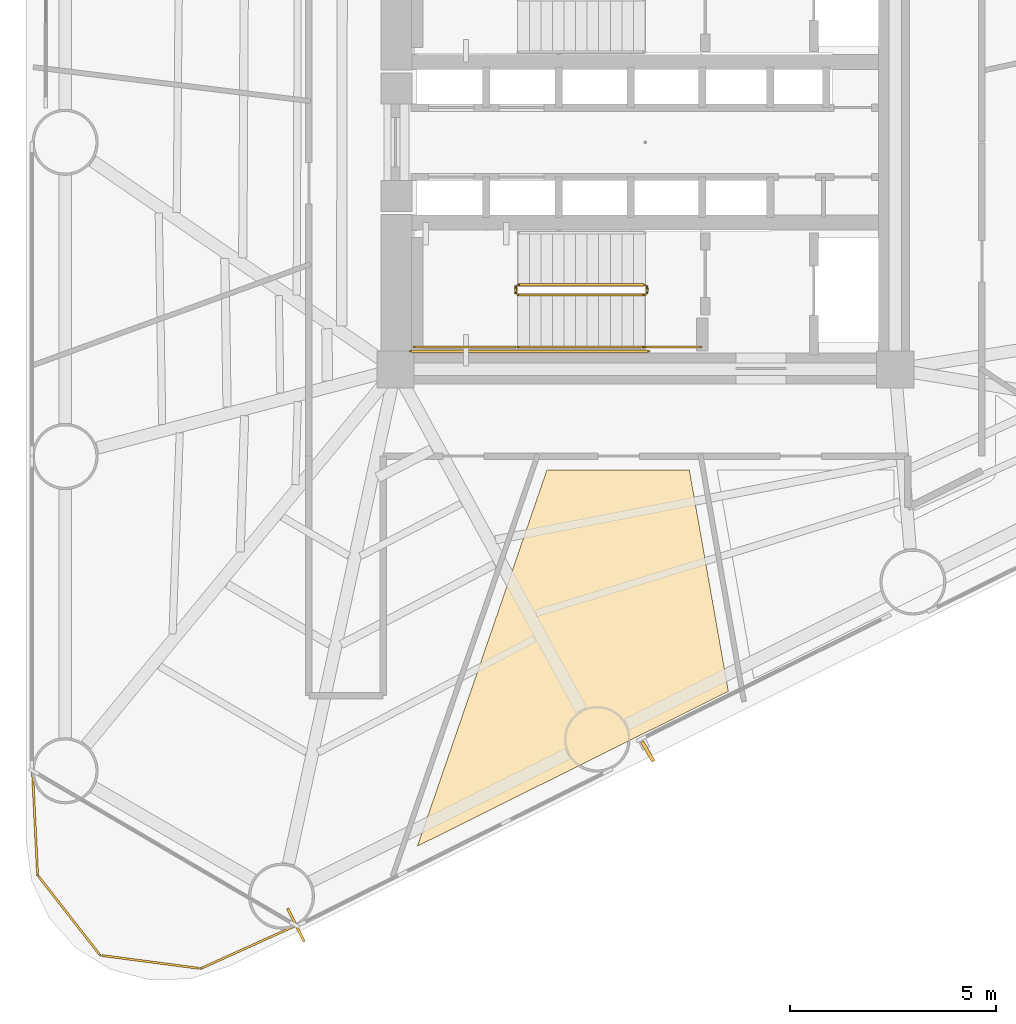
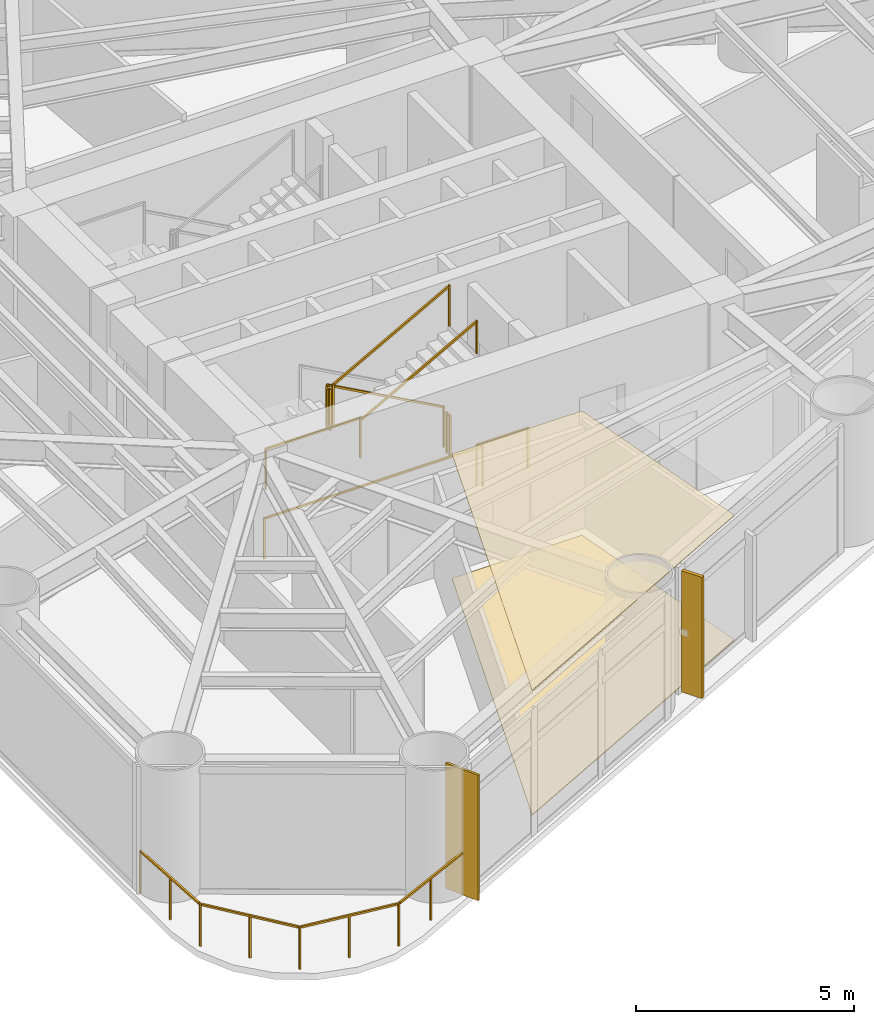
# One storey, part 8 of 11: 9 railings, 3 coverings, 1 shading device.
"""IFC4 building model written with IfcOpenShell, lengths in metres."""

from ifc_helpers import new_model, si_unit, direction, frame, origin, origin_2d, place, context, subcontext, project, spatial, polyline, rectangle, outline, extrude, source, transform, mapped, material, layer, layer_set, material_profile, profile_set, type_object, element, save


model = new_model("IFC4")

# Units and contexts
model_context = context("Model", 3, precision=1e-05, world=origin(), true_north=direction((0.0, 1.0)))
body_context = subcontext(model_context, "Body", "Model", "MODEL_VIEW")
ifc_project = project(units=[si_unit("LENGTHUNIT", "METRE"), si_unit("AREAUNIT", "SQUARE_METRE"), si_unit("VOLUMEUNIT", "CUBIC_METRE"), si_unit("PLANEANGLEUNIT", "RADIAN"), si_unit("MASSUNIT", "GRAM", prefix="KILO")], contexts=[model_context])

# Site, building, storey
site_placement = place(None, origin())
site = spatial("IfcSite", under=ifc_project, at=site_placement, CompositionType="ELEMENT")
building_placement = place(site_placement, origin())
building = spatial("IfcBuilding", under=site, at=building_placement, Name="Yunling Apex Tower", CompositionType="ELEMENT")
storey_placement = place(building_placement, frame((0.0, 0.0, 42.300048828125)))
storey = spatial("IfcBuildingStorey", under=building, at=storey_placement, Name="L12", CompositionType="ELEMENT", Elevation=42.300048828125)

# Coverings
ifc_material_1 = material(Name="Acoustic mineral fibre ceiling")
ifc_layer_1 = layer(ifc_material_1, 0.02490234375)
ifc_layer_set_1 = layer_set([ifc_layer_1], Name="Acoustic mineral fibre ceiling")
covering_type_1 = type_object("IfcCoveringType", Name="CV-CLG-1", PredefinedType="CEILING", material=ifc_layer_set_1)
covering_1_placement = place(storey_placement, frame((0.0, 0.0, 3.489990234375)))
element("IfcCovering", 1, at=covering_1_placement, inside=storey, type_object=covering_type_1, Name="CV-CL-SP-L12-R03", PredefinedType="CEILING", context=body_context, shape_type="SweptSolid", body=[
    extrude(outline(polyline([(2.009521484375, -13.29638671875), (-5.519775390625, -17.0439453125), (-2.381591796875, -7.929931640625), (1.063232421875, -7.929931640625), (2.009521484375, -13.29638671875)])), origin(), (0.0, 0.0, 1.0), 0.02490234375),
])
ifc_material_2 = material(Name="Polished granite stone", Category="masonry")
ifc_layer_2 = layer(ifc_material_2, 0.030029296875)
ifc_layer_set_2 = layer_set([ifc_layer_2], Name="Polished granite stone")
covering_type_2 = type_object("IfcCoveringType", Name="CV-FLR-1", PredefinedType="FLOORING", material=ifc_layer_set_2)
covering_2_placement = place(storey_placement, origin())
element("IfcCovering", 2, at=covering_2_placement, inside=storey, type_object=covering_type_2, Name="CV-FL-SP-L12-R03", PredefinedType="FLOORING", context=body_context, shape_type="SweptSolid", body=[
    extrude(outline(polyline([(2.009521484375, -13.29638671875), (-5.519775390625, -17.0439453125), (-2.381591796875, -7.929931640625), (1.063232421875, -7.929931640625), (2.009521484375, -13.29638671875)])), origin(), (0.0, 0.0, 1.0), 0.030029296875),
])

# Railings
ifc_material_3 = material(Name="Bronze anodised aluminium", Category="aluminium")
railing_type_1 = type_object("IfcRailingType", Name="RL-BAL-1200", PredefinedType="BALUSTRADE", material=ifc_material_3)
railing_1_placement = place(storey_placement, frame((-8.45947265625, -18.965087890625, 0.0)))
element("IfcRailing", 3, at=railing_1_placement, inside=storey, type_object=railing_type_1, Name="RL-CRNSILL-L12-3", PredefinedType="BALUSTRADE", context=body_context, shape_type="SweptSolid", body=[
    extrude(rectangle(XDim=0.0439453125, YDim=0.0439453125, at=origin_2d()), origin(), (0.0, 0.0, 1.0), 1.199951171875),
    extrude(rectangle(XDim=0.0439453125, YDim=0.0439453125, at=origin_2d()), frame((-2.30712890625, -1.04296875, 0.0)), (0.0, 0.0, 1.0), 1.199951171875),
    extrude(rectangle(XDim=0.050048828125, YDim=0.050048828125, at=origin_2d()), frame((-0.034912109375, -0.015869140625, 1.1748046875), z_axis=(-0.911216522497, -0.411927723186, 0.0), x_axis=(0.411927723186, -0.911216522497, 0.0)), (0.0, 0.0, 1.0), 2.455322265625),
    extrude(rectangle(XDim=0.0439453125, YDim=0.0439453125, at=origin_2d()), frame((-1.153564453125, -0.521484375, 0.0)), (0.0, 0.0, 1.0), 1.14599609375),
    extrude(rectangle(XDim=0.0439453125, YDim=0.0439453125, at=origin_2d()), frame((-4.741943359375, -0.723388671875, 0.0)), (0.0, 0.0, 1.0), 1.199951171875),
    extrude(rectangle(XDim=0.050048828125, YDim=0.050048828125, at=origin_2d()), frame((-2.34521484375, -1.0380859375, 1.1748046875), z_axis=(-0.991495866646, 0.130138182035, 0.0), x_axis=(-0.130138182035, -0.991495866646, 0.0)), (0.0, 0.0, 1.0), 2.379150390625),
    extrude(rectangle(XDim=0.0439453125, YDim=0.0439453125, at=origin_2d()), frame((-3.5244140625, -0.88330078125, 0.0)), (0.0, 0.0, 1.0), 1.14599609375),
    extrude(rectangle(XDim=0.0439453125, YDim=0.0439453125, at=origin_2d()), frame((-6.258544921875, 1.21826171875, 0.0)), (0.0, 0.0, 1.0), 1.199951171875),
    extrude(rectangle(XDim=0.050048828125, YDim=0.050048828125, at=origin_2d()), frame((-4.765625, -0.693115234375, 1.1748046875), z_axis=(-0.615565197226, 0.788085964832, 0.0), x_axis=(-0.788085964832, -0.615565197226, 0.0)), (0.0, 0.0, 1.0), 2.38720703125),
    extrude(rectangle(XDim=0.0439453125, YDim=0.0439453125, at=origin_2d()), frame((-5.500244140625, 0.24755859375, 0.0)), (0.0, 0.0, 1.0), 1.14599609375),
    extrude(rectangle(XDim=0.0439453125, YDim=0.0439453125, at=origin_2d()), frame((-6.382568359375, 3.74609375, 0.0)), (0.0, 0.0, 1.0), 1.199951171875),
    extrude(rectangle(XDim=0.050048828125, YDim=0.050048828125, at=origin_2d()), frame((-6.260498046875, 1.256591796875, 1.1748046875), z_axis=(-0.049004218115, 0.998798571588, 0.0), x_axis=(-0.998798571588, -0.049004218115, 0.0)), (0.0, 0.0, 1.0), 2.4541015625),
    extrude(rectangle(XDim=0.0439453125, YDim=0.0439453125, at=origin_2d()), frame((-6.320556640625, 2.482177734375, 0.0)), (0.0, 0.0, 1.0), 1.14599609375),
])
ifc_material_4 = material(Name="Steel Q355B", Category="steel")
railing_type_2 = type_object("IfcRailingType", Name="RL-GRD-1150", PredefinedType="GUARDRAIL", material=ifc_material_4)
railing_2_placement = place(storey_placement, frame((-0.010009765625, -3.449951171875, 0.154052734375)))
element("IfcRailing", 4, at=railing_2_placement, inside=storey, type_object=railing_type_2, Name="L12 ST-2 stair guard 1", PredefinedType="GUARDRAIL", context=body_context, shape_type="SweptSolid", body=[
    extrude(rectangle(XDim=0.0439453125, YDim=0.0439453125, at=origin_2d()), origin(), (0.0, 0.0, 1.0), 1.14990234375),
    extrude(rectangle(XDim=0.0439453125, YDim=0.0439453125, at=origin_2d()), frame((-3.080078125, 0.0, 1.69580078125)), (0.0, 0.0, 1.0), 1.14990234375),
    extrude(rectangle(XDim=0.050048828125, YDim=0.050048828125, at=origin_2d()), frame((-0.03369140625, 0.0, 1.143310546875), z_axis=(-0.876004717809, 0.0, 0.482302534076), x_axis=(0.0, -1.0, 0.0)), (0.0, 0.0, 1.0), 3.439453125),
])
railing_3_placement = place(storey_placement, frame((-3.139892578125, -3.5, 1.849853515625)))
element("IfcRailing", 5, at=railing_3_placement, inside=storey, type_object=railing_type_2, Name="L12 ST-2 stair guard 2", PredefinedType="GUARDRAIL", context=body_context, shape_type="SweptSolid", body=[
    extrude(rectangle(XDim=0.0439453125, YDim=0.0439453125, at=origin_2d()), origin(), (0.0, 0.0, 1.0), 1.14990234375),
    extrude(rectangle(XDim=0.0439453125, YDim=0.0439453125, at=origin_2d()), frame((0.0, -0.14990234375, 0.0)), (0.0, 0.0, 1.0), 1.14990234375),
    extrude(rectangle(XDim=0.050048828125, YDim=0.050048828125, at=origin_2d()), frame((0.0, -0.038330078125, 1.125), z_axis=(0.0, -1.0, 0.0), x_axis=(1.0, 0.0, 0.0)), (0.0, 0.0, 1.0), 0.0732421875),
])
railing_4_placement = place(storey_placement, frame((-3.090087890625, -4.9599609375, 1.849853515625)))
element("IfcRailing", 6, at=railing_4_placement, inside=storey, type_object=railing_type_2, Name="L12 ST-2 stair guard 3", PredefinedType="GUARDRAIL", context=body_context, shape_type="SweptSolid", body=[
    extrude(rectangle(XDim=0.0439453125, YDim=0.0439453125, at=origin_2d()), origin(), (0.0, 0.0, 1.0), 1.14990234375),
    extrude(rectangle(XDim=0.0439453125, YDim=0.0439453125, at=origin_2d()), frame((-2.510009765625, 0.0, 0.0)), (0.0, 0.0, 1.0), 1.14990234375),
    extrude(rectangle(XDim=0.050048828125, YDim=0.050048828125, at=origin_2d()), frame((-0.038330078125, 0.0, 1.125), z_axis=(-1.0, 0.0, 0.0), x_axis=(0.0, -1.0, 0.0)), (0.0, 0.0, 1.0), 2.433349609375),
])
railing_5_placement = place(storey_placement, frame((-3.090087890625, -3.699951171875, 2.004150390625)))
element("IfcRailing", 7, at=railing_5_placement, inside=storey, type_object=railing_type_2, Name="L12 ST-2 stair guard 4", PredefinedType="GUARDRAIL", context=body_context, shape_type="SweptSolid", body=[
    extrude(rectangle(XDim=0.0439453125, YDim=0.0439453125, at=origin_2d()), origin(), (0.0, 0.0, 1.0), 1.14990234375),
    extrude(rectangle(XDim=0.0439453125, YDim=0.0439453125, at=origin_2d()), frame((3.080078125, 0.0, 1.69580078125)), (0.0, 0.0, 1.0), 1.14990234375),
    extrude(rectangle(XDim=0.050048828125, YDim=0.050048828125, at=origin_2d()), frame((0.03369140625, 0.0, 1.143310546875), z_axis=(0.876004717809, 0.0, 0.482302534076), x_axis=(0.0, 1.0, 0.0)), (0.0, 0.0, 1.0), 3.439453125),
])
railing_6_placement = place(storey_placement, frame((0.0400390625, -3.5, 0.0)))
element("IfcRailing", 8, at=railing_6_placement, inside=storey, type_object=railing_type_2, Name="L12 ST-2 stair guard 5", PredefinedType="GUARDRAIL", context=body_context, shape_type="SweptSolid", body=[
    extrude(rectangle(XDim=0.0439453125, YDim=0.0439453125, at=origin_2d()), origin(), (0.0, 0.0, 1.0), 1.14990234375),
    extrude(rectangle(XDim=0.0439453125, YDim=0.0439453125, at=origin_2d()), frame((0.0, -0.14990234375, 0.0)), (0.0, 0.0, 1.0), 1.14990234375),
    extrude(rectangle(XDim=0.050048828125, YDim=0.050048828125, at=origin_2d()), frame((0.0, -0.038330078125, 1.125), z_axis=(0.0, -1.0, 0.0), x_axis=(1.0, 0.0, 0.0)), (0.0, 0.0, 1.0), 0.0732421875),
])
railing_7_placement = place(storey_placement, frame((1.35009765625, -4.9599609375, 0.0)))
element("IfcRailing", 9, at=railing_7_placement, inside=storey, type_object=railing_type_2, Name="L12 ST-2 stair guard 6", PredefinedType="GUARDRAIL", context=body_context, shape_type="SweptSolid", body=[
    extrude(rectangle(XDim=0.0439453125, YDim=0.0439453125, at=origin_2d()), origin(), (0.0, 0.0, 1.0), 1.14990234375),
    extrude(rectangle(XDim=0.0439453125, YDim=0.0439453125, at=origin_2d()), frame((-1.360107421875, 0.0, 0.0)), (0.0, 0.0, 1.0), 1.14990234375),
    extrude(rectangle(XDim=0.050048828125, YDim=0.050048828125, at=origin_2d()), frame((-0.038330078125, 0.0, 1.125), z_axis=(-1.0, 0.0, 0.0), x_axis=(0.0, -1.0, 0.0)), (0.0, 0.0, 1.0), 1.283447265625),
])
railing_8_placement = place(storey_placement, frame((0.090087890625, -5.06005859375, 0.0)))
element("IfcRailing", 10, at=railing_8_placement, inside=storey, type_object=railing_type_2, Name="L12 ST-2 stair guard 7", PredefinedType="GUARDRAIL", context=body_context, shape_type="SweptSolid", body=[
    extrude(rectangle(XDim=0.0439453125, YDim=0.0439453125, at=origin_2d()), origin(), (0.0, 0.0, 1.0), 1.14990234375),
    extrude(rectangle(XDim=0.0439453125, YDim=0.0439453125, at=origin_2d()), frame((-5.7900390625, 0.0, 0.0)), (0.0, 0.0, 1.0), 1.14990234375),
    extrude(rectangle(XDim=0.050048828125, YDim=0.050048828125, at=origin_2d()), frame((-0.038330078125, 0.0, 1.125), z_axis=(-1.0, 0.0, 0.0), x_axis=(0.0, -1.0, 0.0)), (0.0, 0.0, 1.0), 5.71337890625),
])
ifc_material_5 = material(Name="Silver anodised aluminium", Category="aluminium")
railing_type_3 = type_object("IfcRailingType", Name="RL-HND-900", PredefinedType="HANDRAIL", material=ifc_material_5)
railing_9_placement = place(storey_placement, frame((-3.090087890625, -4.9599609375, 2.004150390625)))
element("IfcRailing", 11, at=railing_9_placement, inside=storey, type_object=railing_type_3, Name="L12 ST-2 stair handrail 2", PredefinedType="HANDRAIL", context=body_context, shape_type="SweptSolid", body=[
    extrude(rectangle(XDim=0.0439453125, YDim=0.0439453125, at=origin_2d()), origin(), (0.0, 0.0, 1.0), 0.919921875),
    extrude(rectangle(XDim=0.0439453125, YDim=0.0439453125, at=origin_2d()), frame((3.080078125, 0.0, 1.69580078125)), (0.0, 0.0, 1.0), 0.919921875),
    extrude(rectangle(XDim=0.050048828125, YDim=0.050048828125, at=origin_2d()), frame((0.03369140625, 0.0, 0.913330078125), z_axis=(0.876004717809, 0.0, 0.482302534076), x_axis=(0.0, 1.0, 0.0)), (0.0, 0.0, 1.0), 3.439453125),
])

# Covering
ifc_layer_3 = layer(ifc_material_3, 0.0400390625)
ifc_layer_set_3 = layer_set([ifc_layer_3], Name="Bronze anodised aluminium")
covering_type_3 = type_object("IfcCoveringType", Name="CV-CLD-1", PredefinedType="CLADDING", material=ifc_layer_set_3)
shared_shape_1 = source(origin(), body_context, "Body", "SweptSolid", [
    extrude(rectangle(XDim=0.06005859375, YDim=0.89990234375, at=origin_2d()), origin(), (0.0, 0.0, 1.0), 3.514892578125),
])
covering_3_placement = place(storey_placement, frame((-8.464111328125, -18.9560546875, 0.0), z_axis=(0.0, 0.0, 1.0), x_axis=(0.895245648325, 0.445572922377, 0.0)))
element("IfcCovering", 12, at=covering_3_placement, inside=storey, type_object=covering_type_3, Name="CV-CLD-L12", PredefinedType="CLADDING", context=body_context, shape_type="MappedRepresentation", body=[
    mapped(shared_shape_1, transform((0.0, 0.0, 0.0), scale=1.0)),
])

# Shading device
ifc_material_profile = material_profile(ifc_material_3, rectangle(XDim=0.0849609375, YDim=0.550048828125, at=origin_2d()))
ifc_profile_set = profile_set([ifc_material_profile], Name="Bronze anodised aluminium")
shading_device_type = type_object("IfcShadingDeviceType", Name="FN-BRZ-3", PredefinedType="USERDEFINED", material=ifc_profile_set)
shared_shape_2 = source(origin(), body_context, "Body", "SweptSolid", [
    extrude(rectangle(XDim=0.0849609375, YDim=0.550048828125, at=origin_2d()), origin(), (0.0, 0.0, 1.0), 3.39501953125),
])
shading_device_placement = place(storey_placement, frame((0.0576171875, -14.75390625, 0.06005859375), z_axis=(0.0, 0.0, 1.0), x_axis=(0.864186995248, 0.503170783377, 0.0)))
element("IfcShadingDevice", 13, at=shading_device_placement, inside=storey, type_object=shading_device_type, Name="CW-L12-F1-B2-FIN-01", ObjectType="FIN", PredefinedType="USERDEFINED", context=body_context, shape_type="MappedRepresentation", body=[
    mapped(shared_shape_2, transform((0.0, 0.0, 0.0), scale=1.0)),
])

save(model, "model.ifc")
